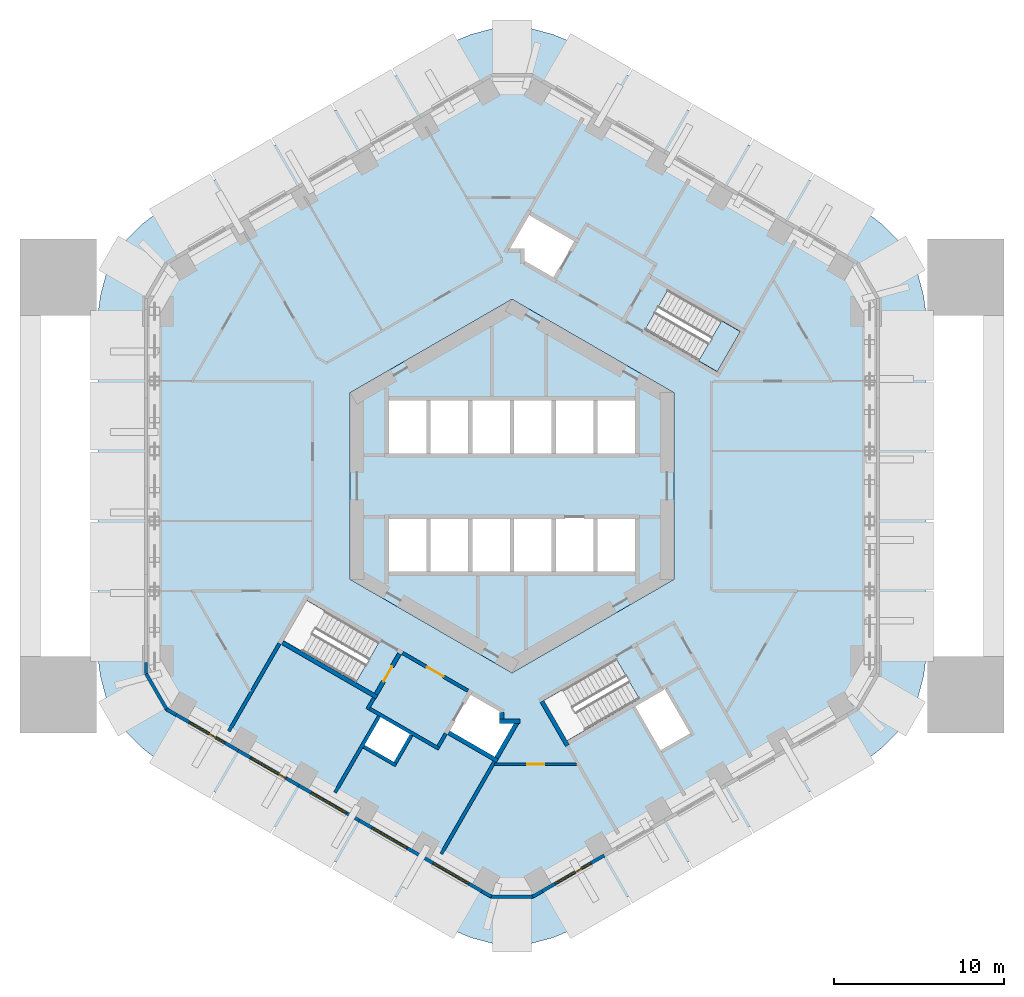
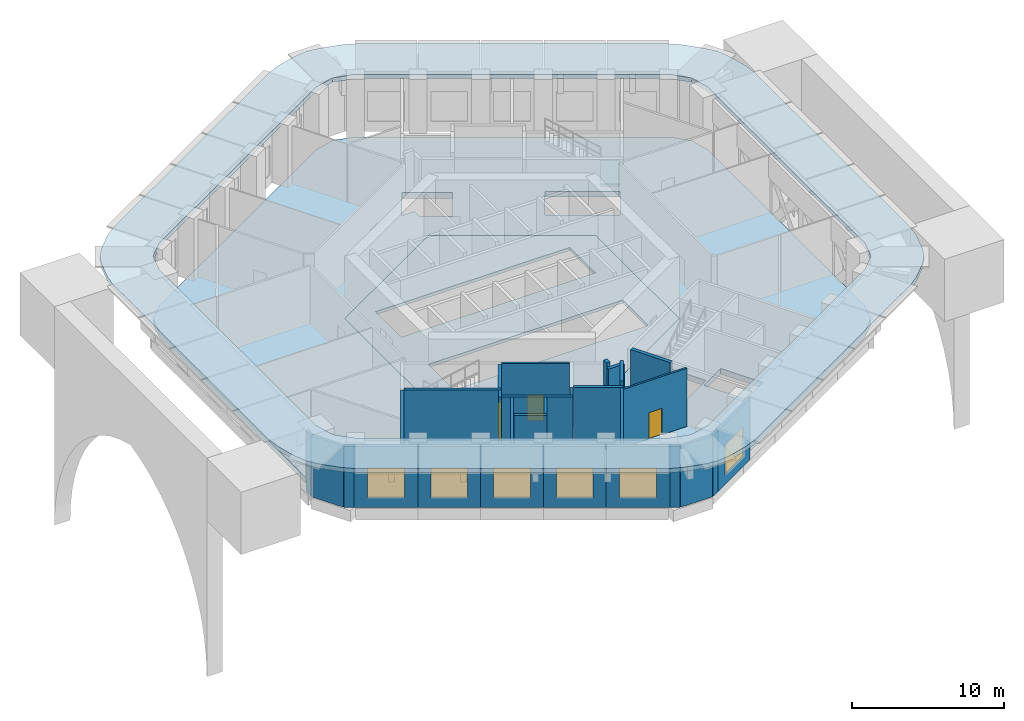
# One storey, part 2 of 10: 29 walls, 6 windows, 4 slabs, 3 doors, 9 openings, 1 element without a shape of its own.
"""IFC4 building model written with IfcOpenShell, lengths in metres."""

import ifcopenshell
import ifcopenshell.guid

model = None  # the IFC model being written
_history = None  # IfcOwnerHistory: only IFC2X3 demands one
_inside = {}  # id of a spatial element -> (the spatial element, [elements in it])
_under = {}  # id of a project, library or spatial element -> (it, [spatial elements below it])
_declared = {}  # id of a project -> (the project, [libraries it declares])
_typed = {}  # id of a type object -> (the type object, [elements of that type])
_made_of = {}  # id of a material, layer set ... -> (it, [elements and type objects made of it])


def new_model(schema):
    """Start an empty IFC model of exactly this schema.

    Asked for "IFC4X3", IfcOpenShell would pick the latest addendum, in which some entities
    have other attributes; the version numbers below select the first issue.
    IFC2X3 requires an IfcOwnerHistory on every rooted entity: one is made here for all.
    """
    global model, _history
    if schema == "IFC4X3":
        model = ifcopenshell.file(schema_version=(4, 3, 0, 0))
    else:
        model = ifcopenshell.file(schema=schema)
    _inside.clear()
    _under.clear()
    _declared.clear()
    _typed.clear()
    _made_of.clear()
    _history = None
    if model.schema == "IFC2X3":
        org = make("IfcOrganization", Name="unknown")
        user = make(
            "IfcPersonAndOrganization",
            ThePerson=make("IfcPerson", FamilyName="unknown"),
            TheOrganization=org,
        )
        app = make(
            "IfcApplication",
            ApplicationDeveloper=org,
            Version="unknown",
            ApplicationFullName="unknown",
            ApplicationIdentifier="unknown",
        )
        _history = make(
            "IfcOwnerHistory",
            OwningUser=user,
            OwningApplication=app,
            ChangeAction="ADDED",
            CreationDate=0,
        )
    return model


def make(cls, **values):
    """One entity of the class cls with the attributes given. An attribute that is None is left unset."""
    return model.create_entity(
        cls, **{name: value for name, value in values.items() if value is not None}
    )


def rooted(cls, **values):
    """An entity with a GlobalId (a new one), such as an element, a storey or a relation."""
    return make(cls, GlobalId=ifcopenshell.guid.new(), OwnerHistory=_history, **values)


def si_unit(unit_type, name, prefix=None):
    """IfcSIUnit, for example si_unit("LENGTHUNIT", "METRE", prefix="MILLI")."""
    return make("IfcSIUnit", UnitType=unit_type, Prefix=prefix, Name=name)


def assignment(units):
    """IfcUnitAssignment: the units of a project."""
    return None if units is None else make("IfcUnitAssignment", Units=units)


def point(xyz):
    """IfcCartesianPoint."""
    return None if xyz is None else make("IfcCartesianPoint", Coordinates=xyz)


def direction(xyz):
    """IfcDirection."""
    return None if xyz is None else make("IfcDirection", DirectionRatios=xyz)


def frame(location, z_axis=None, x_axis=None):
    """IfcAxis2Placement3D, a coordinate frame: its origin and axes. An axis left out is left unset."""
    return make(
        "IfcAxis2Placement3D",
        Location=point(location),
        Axis=direction(z_axis),
        RefDirection=direction(x_axis),
    )


def frame_2d(location, x_axis=None):
    """IfcAxis2Placement2D, a coordinate frame in the plane: its origin and x axis."""
    return make(
        "IfcAxis2Placement2D", Location=point(location), RefDirection=direction(x_axis)
    )


def origin():
    """The frame at (0, 0, 0) with its axes left unset."""
    return frame((0.0, 0.0, 0.0))


def place(relative_to, where):
    """IfcLocalPlacement: puts the frame where relative to a parent placement (None: the world)."""
    return make(
        "IfcLocalPlacement", PlacementRelTo=relative_to, RelativePlacement=where
    )


def context(
    kind, dimensions, precision=None, world=None, true_north=None, identifier=None
):
    """IfcGeometricRepresentationContext, for example the 3D "Model" context."""
    return make(
        "IfcGeometricRepresentationContext",
        ContextIdentifier=identifier,
        ContextType=kind,
        CoordinateSpaceDimension=dimensions,
        Precision=precision,
        WorldCoordinateSystem=world,
        TrueNorth=true_north,
    )


def subcontext(parent, identifier, kind, view, scale=None):
    """IfcGeometricRepresentationSubContext, for example "Body" below "Model"."""
    return make(
        "IfcGeometricRepresentationSubContext",
        ContextIdentifier=identifier,
        ContextType=kind,
        ParentContext=parent,
        TargetScale=scale,
        TargetView=view,
    )


def project(units=None, contexts=None):
    """IfcProject with its units and contexts."""
    return rooted(
        "IfcProject",
        Name="project",
        RepresentationContexts=contexts,
        UnitsInContext=assignment(units),
    )


def spatial(cls, under=None, at=None, **own):
    """A site, building, storey or space (cls), placed at a placement, below another one or the project."""
    s = rooted(cls, ObjectPlacement=at, **own)
    if under is not None:
        _under.setdefault(under.id(), (under, []))[1].append(s)
    return s


def polyline(points):
    """IfcPolyline through the points."""
    return make("IfcPolyline", Points=[point(p) for p in points])


def profile(cls, at=None, kind="AREA", **sizes):
    """A parametric profile (cls). Its sizes go by their IFC names, for example OverallWidth=200.0."""
    return make(cls, ProfileType=kind, Position=at, **sizes)


def rectangle(**sizes):
    """IfcRectangleProfileDef."""
    return profile("IfcRectangleProfileDef", **sizes)


def outline(outer, holes=None, kind="AREA"):
    """IfcArbitraryClosedProfileDef: a profile drawn as a closed curve; with holes, ...WithVoids."""
    if holes is None:
        return make("IfcArbitraryClosedProfileDef", ProfileType=kind, OuterCurve=outer)
    return make(
        "IfcArbitraryProfileDefWithVoids",
        ProfileType=kind,
        OuterCurve=outer,
        InnerCurves=holes,
    )


def extrude(swept, where, along, depth):
    """IfcExtrudedAreaSolid: the profile swept, set in the frame where, extruded along a direction by depth."""
    return make(
        "IfcExtrudedAreaSolid",
        SweptArea=swept,
        Position=where,
        ExtrudedDirection=direction(along),
        Depth=depth,
    )


def shape(context_of_items, identifier, shape_type, items):
    """IfcShapeRepresentation: the items that make up one representation, for example the "Body"."""
    return make(
        "IfcShapeRepresentation",
        ContextOfItems=context_of_items,
        RepresentationIdentifier=identifier,
        RepresentationType=shape_type,
        Items=items,
    )


def material(Name=None, Category=None):
    """IfcMaterial."""
    return make("IfcMaterial", Name=Name, Category=Category)


def layer(
    of_material, thickness, ventilated=None, Name=None, Category=None, Priority=None
):
    """IfcMaterialLayer: one layer of a wall or slab, of a material (None: an air gap)."""
    return make(
        "IfcMaterialLayer",
        Material=of_material,
        LayerThickness=thickness,
        IsVentilated=ventilated,
        Name=Name,
        Category=Category,
        Priority=Priority,
    )


def layer_set(layers, Name=None):
    """IfcMaterialLayerSet."""
    return make("IfcMaterialLayerSet", MaterialLayers=layers, LayerSetName=Name)


def made_of(thing, what):
    """Note that an element or type object is made of a material, layer set ...; save() writes the relation."""
    if what is not None:
        _made_of.setdefault(what.id(), (what, []))[1].append(thing)
    return thing


def type_object(cls, material=None, **own):
    """A type object (cls), such as IfcWallType, which elements share."""
    return made_of(rooted(cls, **own), material)


def element(
    cls,
    number,
    at=None,
    inside=None,
    cuts=None,
    type_object=None,
    material=None,
    context=None,
    identifier="Body",
    shape_type=None,
    held_by="IfcProductDefinitionShape",
    body=None,
    shapes=None,
    **own,
):
    """One element of the class cls, such as IfcWall. Its Tag is "e" and its number.

    at: its placement. inside: the storey or other place that contains it. cuts: it is an
    opening in that element (IfcRelVoidsElement). A single representation is given by context,
    identifier, shape_type and body (its items); several are given by shapes. held_by: the class
    of the entity that holds the representations. save() writes the other relations.
    """
    e = rooted(cls, Tag="e%d" % number, ObjectPlacement=at, **own)
    if body is not None:
        shapes = [shape(context, identifier, shape_type, body)]
    if shapes is not None:
        e.Representation = make(held_by, Representations=shapes)
    if inside is not None:
        _inside.setdefault(inside.id(), (inside, []))[1].append(e)
    if cuts is not None:
        rooted(
            "IfcRelVoidsElement", RelatingBuildingElement=cuts, RelatedOpeningElement=e
        )
    if type_object is not None:
        _typed.setdefault(type_object.id(), (type_object, []))[1].append(e)
    return made_of(e, material)


def fill(opening, filler):
    """IfcRelFillsElement: the door or window that sits in an opening."""
    return rooted(
        "IfcRelFillsElement",
        RelatingOpeningElement=opening,
        RelatedBuildingElement=filler,
    )


def aggregate(whole, parts):
    """IfcRelAggregates: a whole, such as a stair, and the parts it consists of."""
    return rooted("IfcRelAggregates", RelatingObject=whole, RelatedObjects=parts)


def save(model, path):
    """Write the relations noted so far, then the file.

    IfcRelAggregates (storeys below a building ...), IfcRelContainedInSpatialStructure (elements
    in a storey), IfcRelDefinesByType, IfcRelAssociatesMaterial and IfcRelDeclares: one each for
    every whole, place, type object, material and project.
    """
    for whole, parts in _under.values():
        aggregate(whole, parts)
    for where, things in _inside.values():
        rooted(
            "IfcRelContainedInSpatialStructure",
            RelatedElements=things,
            RelatingStructure=where,
        )
    for kind, things in _typed.values():
        rooted("IfcRelDefinesByType", RelatedObjects=things, RelatingType=kind)
    for what, things in _made_of.values():
        rooted("IfcRelAssociatesMaterial", RelatedObjects=things, RelatingMaterial=what)
    for by, libraries in _declared.values():
        rooted("IfcRelDeclares", RelatingContext=by, RelatedDefinitions=libraries)
    model.write(path)


model = new_model("IFC4")

# Units and contexts
model_context = context("Model", 3, precision=1e-05, world=origin(), true_north=direction((0.0, 1.0)))
body_context = subcontext(model_context, "Body", "Model", "MODEL_VIEW")
ifc_project = project(units=[si_unit("LENGTHUNIT", "METRE"), si_unit("AREAUNIT", "SQUARE_METRE"), si_unit("VOLUMEUNIT", "CUBIC_METRE"), si_unit("PLANEANGLEUNIT", "RADIAN"), si_unit("MASSUNIT", "GRAM", prefix="KILO")], contexts=[model_context])

# Site, building, storey
site_placement = place(None, origin())
site = spatial("IfcSite", under=ifc_project, at=site_placement, CompositionType="ELEMENT")
building_placement = place(site_placement, origin())
building = spatial("IfcBuilding", under=site, at=building_placement, Name="Ayvan Gate Tower", CompositionType="ELEMENT")
storey_placement = place(building_placement, frame((0.0, 0.0, 20.5)))
storey = spatial("IfcBuildingStorey", under=building, at=storey_placement, Name="L04", CompositionType="ELEMENT", Elevation=20.5)

# Slabs
ifc_material_1 = material(Name="Concrete C40/50", Category="concrete")
ifc_layer_1 = layer(ifc_material_1, 0.35009765625)
ifc_layer_set_1 = layer_set([ifc_layer_1], Name="Concrete C40/50")
slab_type_1 = type_object("IfcSlabType", Name="Cornice slab 350", PredefinedType="ROOF", material=ifc_layer_set_1)
slab_1_placement = place(storey_placement, frame((0.0, 0.0, 4.64990234375)))
element("IfcSlab", 1, at=slab_1_placement, inside=storey, type_object=slab_type_1, Name="Cornice slab ring", PredefinedType="ROOF", context=body_context, shape_type="SweptSolid", body=[
    extrude(outline(polyline([(21.03466796875, 15.897216796875), (3.25, 26.1650390625), (2.40576171875, 26.5146484375), (0.90576171875, 26.916748046875), (0.0, 27.035888671875), (-0.90576171875, 26.916748046875), (-2.40576171875, 26.5146484375), (-3.25, 26.1650390625), (-21.03466796875, 15.897216796875), (-21.759521484375, 15.3408203125), (-22.857666015625, 14.242919921875), (-23.413818359375, 13.51806640625), (-23.763427734375, 12.673828125), (-24.165283203125, 11.173828125), (-24.28466796875, 10.26806640625), (-24.28466796875, -10.26806640625), (-24.165283203125, -11.173828125), (-23.763427734375, -12.673828125), (-23.413818359375, -13.51806640625), (-22.857666015625, -14.242919921875), (-21.759521484375, -15.3408203125), (-21.03466796875, -15.897216796875), (-3.25, -26.1650390625), (-2.40576171875, -26.5146484375), (-0.90576171875, -26.916748046875), (0.0, -27.035888671875), (0.90576171875, -26.916748046875), (2.40576171875, -26.5146484375), (3.25, -26.1650390625), (21.03466796875, -15.897216796875), (21.759521484375, -15.3408203125), (22.857666015625, -14.242919921875), (23.413818359375, -13.51806640625), (23.763427734375, -12.673828125), (24.165283203125, -11.173828125), (24.28466796875, -10.26806640625), (24.28466796875, 10.26806640625), (24.165283203125, 11.173828125), (23.763427734375, 12.673828125), (23.413818359375, 13.51806640625), (22.857666015625, 14.242919921875), (21.759521484375, 15.3408203125), (21.03466796875, 15.897216796875)]), holes=[polyline([(1.5, 23.134033203125), (0.0, 23.535888671875), (-1.5, 23.134033203125), (-19.28466796875, 12.865966796875), (-20.382568359375, 11.76806640625), (-20.78466796875, 10.26806640625), (-20.78466796875, -10.26806640625), (-20.382568359375, -11.76806640625), (-19.28466796875, -12.865966796875), (-1.5, -23.134033203125), (0.0, -23.535888671875), (1.5, -23.134033203125), (19.28466796875, -12.865966796875), (20.382568359375, -11.76806640625), (20.78466796875, -10.26806640625), (20.78466796875, 10.26806640625), (20.382568359375, 11.76806640625), (19.28466796875, 12.865966796875), (1.5, 23.134033203125)])]), origin(), (0.0, 0.0, 1.0), 0.35009765625),
])
ifc_layer_2 = layer(ifc_material_1, 0.449951171875)
ifc_layer_set_2 = layer_set([ifc_layer_2], Name="Concrete C40/50")
slab_type_2 = type_object("IfcSlabType", Name="Post-tensioned flat slab 450", PredefinedType="FLOOR", material=ifc_layer_set_2)
slab_2_placement = place(storey_placement, frame((0.0, 0.0, -0.449951171875)))
element("IfcSlab", 2, at=slab_2_placement, inside=storey, type_object=slab_type_2, Name="SL-L04", PredefinedType="FLOOR", context=body_context, shape_type="SweptSolid", body=[
    extrude(outline(polyline([(-1.5, -23.134033203125), (-19.28466796875, -12.865966796875), (-20.382568359375, -11.76806640625), (-20.78466796875, -10.26806640625), (-20.78466796875, 10.26806640625), (-20.382568359375, 11.76806640625), (-19.28466796875, 12.865966796875), (-1.5, 23.134033203125), (0.0, 23.535888671875), (1.5, 23.134033203125), (19.28466796875, 12.865966796875), (20.382568359375, 11.76806640625), (20.78466796875, 10.26806640625), (20.78466796875, -10.26806640625), (20.382568359375, -11.76806640625), (19.28466796875, -12.865966796875), (1.5, -23.134033203125), (0.0, -23.535888671875), (-1.5, -23.134033203125)]), holes=[polyline([(9.1611328125, 11.517578125), (7.80615234375, 9.170654296875), (12.049560546875, 6.720458984375), (13.404541015625, 9.0673828125), (9.1611328125, 11.517578125)]), polyline([(8.995361328125, -11.780517578125), (8.735595703125, -11.9306640625), (7.090087890625, -12.880615234375), (8.690185546875, -15.65185546875), (10.595458984375, -14.5517578125), (8.995361328125, -11.780517578125)]), polyline([(-9.5, 5.48486328125), (-9.5, -5.48486328125), (0.0, -10.9697265625), (9.5, -5.48486328125), (9.5, 5.48486328125), (0.0, 10.9697265625), (-9.5, 5.48486328125)]), polyline([(7.472412109375, -12.492431640625), (6.117431640625, -10.1455078125), (1.873779296875, -12.595458984375), (3.228759765625, -14.9423828125), (7.472412109375, -12.492431640625)]), polyline([(3.822509765625, 14.420654296875), (0.964599609375, 16.07080078125), (-0.340576171875, 13.81005859375), (0.60009765625, 13.81005859375), (0.60009765625, 13.16357421875), (2.472412109375, 12.08251953125), (3.822509765625, 14.420654296875)]), polyline([(-0.60009765625, -13.81005859375), (-0.60009765625, -13.16357421875), (-2.472412109375, -12.08251953125), (-3.822509765625, -14.420654296875), (-0.964599609375, -16.07080078125), (0.340576171875, -13.81005859375), (-0.60009765625, -13.81005859375)]), polyline([(-8.800048828125, -15.241943359375), (-6.894775390625, -16.342041015625), (-5.8447265625, -14.5234375), (-7.75, -13.42333984375), (-8.800048828125, -15.241943359375)]), polyline([(-12.049560546875, -6.720458984375), (-13.404541015625, -9.0673828125), (-9.1611328125, -11.517578125), (-7.80615234375, -9.170654296875), (-12.049560546875, -6.720458984375)])]), origin(), (0.0, 0.0, 1.0), 0.449951171875),
])
ifc_layer_3 = layer(ifc_material_1, 0.25)
ifc_layer_set_3 = layer_set([ifc_layer_3], Name="Concrete C40/50")
slab_type_3 = type_object("IfcSlabType", Name="SL-CORE-250", PredefinedType="FLOOR", material=ifc_layer_set_3)
slab_3_placement = place(storey_placement, frame((0.0, 0.0, -0.25)))
element("IfcSlab", 3, at=slab_3_placement, inside=storey, type_object=slab_type_3, Name="CS-L04", PredefinedType="FLOOR", context=body_context, shape_type="SweptSolid", body=[
    extrude(outline(polyline([(9.5, -5.48486328125), (0.0, -10.9697265625), (-9.5, -5.48486328125), (-9.5, 5.48486328125), (0.0, 10.9697265625), (9.5, 5.48486328125), (9.5, -5.48486328125)]), holes=[polyline([(-7.35009765625, -1.800048828125), (-7.35009765625, -5.14990234375), (7.35009765625, -5.14990234375), (7.35009765625, -1.800048828125), (-7.35009765625, -1.800048828125)]), polyline([(-7.35009765625, 5.14990234375), (-7.35009765625, 1.800048828125), (7.35009765625, 1.800048828125), (7.35009765625, 5.14990234375), (-7.35009765625, 5.14990234375)])]), origin(), (0.0, 0.0, 1.0), 0.25),
])

# Stair, slab
stair_type = type_object("IfcStairType", Name="ST-EXIT", PredefinedType="HALF_TURN_STAIR", material=ifc_material_1)
stair_placement = place(storey_placement, origin())
stair = element("IfcStair", 4, at=stair_placement, inside=storey, type_object=stair_type, Name="L04 Exit Stair S1", PredefinedType="HALF_TURN_STAIR")
ifc_layer_4 = layer(ifc_material_1, 0.199951171875)
ifc_layer_set_4 = layer_set([ifc_layer_4], Name="Concrete C40/50")
slab_type_4 = type_object("IfcSlabType", Name="SL-LANDING-200", PredefinedType="LANDING", material=ifc_layer_set_4)
slab_4_placement = place(storey_placement, frame((0.0, 0.0, 2.300048828125)))
slab_4 = element("IfcSlab", 5, at=slab_4_placement, type_object=slab_type_4, Name="STS1 landing 1", PredefinedType="LANDING", context=body_context, shape_type="SweptSolid", body=[
    extrude(outline(polyline([(10.95849609375, 7.3505859375), (12.049560546875, 6.720458984375), (13.404541015625, 9.0673828125), (12.3134765625, 9.697509765625), (10.95849609375, 7.3505859375)])), origin(), (0.0, 0.0, 1.0), 0.199951171875),
])
aggregate(stair, [slab_4])

# Walls
ifc_material_2 = material(Name="Pale metal cladding on insulated wall")
ifc_layer_5 = layer(ifc_material_2, 0.199951171875)
ifc_layer_set_5 = layer_set([ifc_layer_5], Name="Pale metal cladding on insulated wall")
wall_type_1 = type_object("IfcWallType", Name="Louvred plant wall 200", PredefinedType="SOLIDWALL", material=ifc_layer_set_5)
wall_1_placement = place(storey_placement, frame((-21.484619140625, -10.360107421875, 0.0), z_axis=(0.0, 0.0, 1.0), x_axis=(0.0, -1.0, 0.0)))
element("IfcWall", 6, at=wall_1_placement, inside=storey, type_object=wall_type_1, Name="EW:L04:C03:0", PredefinedType="SOLIDWALL", context=body_context, shape_type="SweptSolid", body=[
    extrude(rectangle(XDim=0.64990234375, YDim=0.199951171875, at=frame_2d((0.324951171875, 0.0))), origin(), (0.0, 0.0, 1.0), 4.8798828125),
])
wall_2_placement = place(storey_placement, frame((-21.484619140625, -11.010009765625, 0.0), z_axis=(0.0, 0.0, 1.0), x_axis=(0.499999616612, -0.866025625133, 0.0)))
element("IfcWall", 7, at=wall_2_placement, inside=storey, type_object=wall_type_1, Name="EW:L04:C03:1", PredefinedType="SOLIDWALL", context=body_context, shape_type="SweptSolid", body=[
    extrude(rectangle(XDim=2.41455078125, YDim=0.199951171875, at=frame_2d((1.207275390625, 0.0))), origin(), (0.0, 0.0, 1.0), 4.8798828125),
])
wall_3_placement = place(storey_placement, frame((-20.27734375, -13.10107421875, 0.0), z_axis=(0.0, 0.0, 1.0), x_axis=(0.865922902183, -0.50017749597, 0.0)))
element("IfcWall", 8, at=wall_3_placement, inside=storey, type_object=wall_type_1, Name="EW:L04:C03:2", PredefinedType="SOLIDWALL", context=body_context, shape_type="SweptSolid", body=[
    extrude(rectangle(XDim=0.650146484375, YDim=0.199951171875, at=frame_2d((0.3251953125, 0.0))), origin(), (0.0, 0.0, 1.0), 4.8798828125),
])

# Wall, opening, window
wall_4_placement = place(storey_placement, frame((-19.71435546875, -13.42626953125, 0.0), z_axis=(0.0, 0.0, 1.0), x_axis=(0.866041321553, -0.499972428603, 0.0)))
wall_4 = element("IfcWall", 9, at=wall_4_placement, inside=storey, type_object=wall_type_1, Name="EW:L04:F04:0", PredefinedType="SOLIDWALL", context=body_context, shape_type="SweptSolid", body=[
    extrude(rectangle(XDim=4.198974609375, YDim=0.199951171875, at=frame_2d((2.099609375, 0.0))), origin(), (0.0, 0.0, 1.0), 4.8798828125),
])
opening_1_placement = place(wall_4_placement, frame((0.8994140625, 0.0, 0.800048828125)))
opening_1 = element("IfcOpeningElement", 10, at=opening_1_placement, cuts=wall_4, Name="Opening W-L", PredefinedType="OPENING", context=body_context, shape_type="SweptSolid", body=[
    extrude(rectangle(XDim=2.39990234375, YDim=2.39990234375, at=frame_2d((1.199951171875, 1.199951171875))), frame((0.0, 0.10986328125, 0.0), z_axis=(0.0, -1.0, 0.0), x_axis=(1.0, 0.0, 0.0)), (0.0, 0.0, 1.0), 0.219970703125),
])
ifc_material_3 = material(Name="Anodised aluminium louvre", Category="aluminium")
window_type = type_object("IfcWindowType", Name="Louvre intake W-L", PartitioningType="DOUBLE_PANEL_VERTICAL", PredefinedType="WINDOW", material=ifc_material_3)
window_1_placement = place(opening_1_placement, origin())
window_1 = element("IfcWindow", 11, at=window_1_placement, inside=storey, type_object=window_type, Name="Louvre intake L04.4.0", OverallHeight=2.39990234375, OverallWidth=2.39990234375, PartitioningType="SINGLE_PANEL", PredefinedType="WINDOW", context=body_context, shape_type="SweptSolid", body=[
    extrude(rectangle(XDim=2.39990234375, YDim=2.39990234375, at=frame_2d((1.199951171875, 1.199951171875))), frame((0.0, 0.030029296875, 0.0), z_axis=(0.0, -1.0, 0.0), x_axis=(1.0, 0.0, 0.0)), (0.0, 0.0, 1.0), 0.06005859375),
])
fill(opening_1, window_1)

wall_5_placement = place(storey_placement, frame((-16.077880859375, -15.525634765625, 0.0), z_axis=(0.0, 0.0, 1.0), x_axis=(0.866029215606, -0.499993397673, 0.0)))
wall_5 = element("IfcWall", 12, at=wall_5_placement, inside=storey, type_object=wall_type_1, Name="EW:L04:F04:1", PredefinedType="SOLIDWALL", context=body_context, shape_type="SweptSolid", body=[
    extrude(rectangle(XDim=4.10791015625, YDim=0.199951171875, at=frame_2d((2.053955078125, 0.0))), origin(), (0.0, 0.0, 1.0), 4.8798828125),
])
opening_2_placement = place(wall_5_placement, frame((0.85400390625, 0.0, 0.800048828125)))
opening_2 = element("IfcOpeningElement", 13, at=opening_2_placement, cuts=wall_5, Name="Opening W-L", PredefinedType="OPENING", context=body_context, shape_type="SweptSolid", body=[
    extrude(rectangle(XDim=2.39990234375, YDim=2.39990234375, at=frame_2d((1.199951171875, 1.199951171875))), frame((0.0, 0.10986328125, 0.0), z_axis=(0.0, -1.0, 0.0), x_axis=(1.0, 0.0, 0.0)), (0.0, 0.0, 1.0), 0.219970703125),
])
window_2_placement = place(opening_2_placement, origin())
window_2 = element("IfcWindow", 14, at=window_2_placement, inside=storey, type_object=window_type, Name="Louvre intake L04.4.1", OverallHeight=2.39990234375, OverallWidth=2.39990234375, PartitioningType="SINGLE_PANEL", PredefinedType="WINDOW", context=body_context, shape_type="SweptSolid", body=[
    extrude(rectangle(XDim=2.39990234375, YDim=2.39990234375, at=frame_2d((1.199951171875, 1.199951171875))), frame((0.0, 0.030029296875, 0.0), z_axis=(0.0, -1.0, 0.0), x_axis=(1.0, 0.0, 0.0)), (0.0, 0.0, 1.0), 0.06005859375),
])
fill(opening_2, window_2)

wall_6_placement = place(storey_placement, frame((-12.520263671875, -17.57958984375, 0.0), z_axis=(0.0, 0.0, 1.0), x_axis=(0.866021252249, -0.500007190601, 0.0)))
wall_6 = element("IfcWall", 15, at=wall_6_placement, inside=storey, type_object=wall_type_1, Name="EW:L04:F04:2", PredefinedType="SOLIDWALL", context=body_context, shape_type="SweptSolid", body=[
    extrude(rectangle(XDim=4.10693359375, YDim=0.199951171875, at=frame_2d((2.053466796875, 0.0))), origin(), (0.0, 0.0, 1.0), 4.8798828125),
])
opening_3_placement = place(wall_6_placement, frame((0.853515625, 0.0, 0.800048828125)))
opening_3 = element("IfcOpeningElement", 16, at=opening_3_placement, cuts=wall_6, Name="Opening W-L", PredefinedType="OPENING", context=body_context, shape_type="SweptSolid", body=[
    extrude(rectangle(XDim=2.39990234375, YDim=2.39990234375, at=frame_2d((1.199951171875, 1.199951171875))), frame((0.0, 0.10986328125, 0.0), z_axis=(0.0, -1.0, 0.0), x_axis=(1.0, 0.0, 0.0)), (0.0, 0.0, 1.0), 0.219970703125),
])
window_3_placement = place(opening_3_placement, origin())
window_3 = element("IfcWindow", 17, at=window_3_placement, inside=storey, type_object=window_type, Name="Louvre intake L04.4.2", OverallHeight=2.39990234375, OverallWidth=2.39990234375, PartitioningType="SINGLE_PANEL", PredefinedType="WINDOW", context=body_context, shape_type="SweptSolid", body=[
    extrude(rectangle(XDim=2.39990234375, YDim=2.39990234375, at=frame_2d((1.199951171875, 1.199951171875))), frame((0.0, 0.030029296875, 0.0), z_axis=(0.0, -1.0, 0.0), x_axis=(1.0, 0.0, 0.0)), (0.0, 0.0, 1.0), 0.06005859375),
])
fill(opening_3, window_3)

wall_7_placement = place(storey_placement, frame((-8.963623046875, -19.633056640625, 0.0), z_axis=(0.0, 0.0, 1.0), x_axis=(0.866010373586, -0.500026032164, 0.0)))
wall_7 = element("IfcWall", 18, at=wall_7_placement, inside=storey, type_object=wall_type_1, Name="EW:L04:F04:3", PredefinedType="SOLIDWALL", context=body_context, shape_type="SweptSolid", body=[
    extrude(rectangle(XDim=4.107177734375, YDim=0.199951171875, at=frame_2d((2.0537109375, 0.0))), origin(), (0.0, 0.0, 1.0), 4.8798828125),
])
opening_4_placement = place(wall_7_placement, frame((0.853515625, 0.0, 0.800048828125)))
opening_4 = element("IfcOpeningElement", 19, at=opening_4_placement, cuts=wall_7, Name="Opening W-L", PredefinedType="OPENING", context=body_context, shape_type="SweptSolid", body=[
    extrude(rectangle(XDim=2.39990234375, YDim=2.39990234375, at=frame_2d((1.199951171875, 1.199951171875))), frame((0.0, 0.10986328125, 0.0), z_axis=(0.0, -1.0, 0.0), x_axis=(1.0, 0.0, 0.0)), (0.0, 0.0, 1.0), 0.219970703125),
])
window_4_placement = place(opening_4_placement, origin())
window_4 = element("IfcWindow", 20, at=window_4_placement, inside=storey, type_object=window_type, Name="Louvre intake L04.4.3", OverallHeight=2.39990234375, OverallWidth=2.39990234375, PartitioningType="SINGLE_PANEL", PredefinedType="WINDOW", context=body_context, shape_type="SweptSolid", body=[
    extrude(rectangle(XDim=2.39990234375, YDim=2.39990234375, at=frame_2d((1.199951171875, 1.199951171875))), frame((0.0, 0.030029296875, 0.0), z_axis=(0.0, -1.0, 0.0), x_axis=(1.0, 0.0, 0.0)), (0.0, 0.0, 1.0), 0.06005859375),
])
fill(opening_4, window_4)

wall_8_placement = place(storey_placement, frame((-5.40673828125, -21.686767578125, 0.0), z_axis=(0.0, 0.0, 1.0), x_axis=(0.866016145416, -0.500016035621, 0.0)))
wall_8 = element("IfcWall", 21, at=wall_8_placement, inside=storey, type_object=wall_type_1, Name="EW:L04:F04:4", PredefinedType="SOLIDWALL", context=body_context, shape_type="SweptSolid", body=[
    extrude(rectangle(XDim=4.198974609375, YDim=0.199951171875, at=frame_2d((2.099609375, 0.0))), origin(), (0.0, 0.0, 1.0), 4.8798828125),
])
opening_5_placement = place(wall_8_placement, frame((0.899658203125, 0.0, 0.800048828125)))
opening_5 = element("IfcOpeningElement", 22, at=opening_5_placement, cuts=wall_8, Name="Opening W-L", PredefinedType="OPENING", context=body_context, shape_type="SweptSolid", body=[
    extrude(rectangle(XDim=2.39990234375, YDim=2.39990234375, at=frame_2d((1.199951171875, 1.199951171875))), frame((0.0, 0.10986328125, 0.0), z_axis=(0.0, -1.0, 0.0), x_axis=(1.0, 0.0, 0.0)), (0.0, 0.0, 1.0), 0.219970703125),
])
window_5_placement = place(opening_5_placement, origin())
window_5 = element("IfcWindow", 23, at=window_5_placement, inside=storey, type_object=window_type, Name="Louvre intake L04.4.4", OverallHeight=2.39990234375, OverallWidth=2.39990234375, PartitioningType="SINGLE_PANEL", PredefinedType="WINDOW", context=body_context, shape_type="SweptSolid", body=[
    extrude(rectangle(XDim=2.39990234375, YDim=2.39990234375, at=frame_2d((1.199951171875, 1.199951171875))), frame((0.0, 0.030029296875, 0.0), z_axis=(0.0, -1.0, 0.0), x_axis=(1.0, 0.0, 0.0)), (0.0, 0.0, 1.0), 0.06005859375),
])
fill(opening_5, window_5)

# Walls
wall_9_placement = place(storey_placement, frame((-1.770263671875, -23.786376953125, 0.0), z_axis=(0.0, 0.0, 1.0), x_axis=(0.866085525409, -0.49989585183, 0.0)))
element("IfcWall", 24, at=wall_9_placement, inside=storey, type_object=wall_type_1, Name="EW:L04:C05:0", PredefinedType="SOLIDWALL", context=body_context, shape_type="SweptSolid", body=[
    extrude(rectangle(XDim=0.650146484375, YDim=0.199951171875, at=frame_2d((0.3251953125, 0.0))), origin(), (0.0, 0.0, 1.0), 4.8798828125),
])
wall_10_placement = place(storey_placement, frame((-1.207275390625, -24.111328125, 0.0), z_axis=(0.0, 0.0, 1.0), x_axis=(1.0, 0.0, 0.0)))
element("IfcWall", 25, at=wall_10_placement, inside=storey, type_object=wall_type_1, Name="EW:L04:C05:1", PredefinedType="SOLIDWALL", context=body_context, shape_type="SweptSolid", body=[
    extrude(rectangle(XDim=2.41455078125, YDim=0.199951171875, at=frame_2d((1.207275390625, 0.0))), origin(), (0.0, 0.0, 1.0), 4.8798828125),
])
wall_11_placement = place(storey_placement, frame((1.207275390625, -24.111328125, 0.0), z_axis=(0.0, 0.0, 1.0), x_axis=(0.866085525409, 0.49989585183, 0.0)))
element("IfcWall", 26, at=wall_11_placement, inside=storey, type_object=wall_type_1, Name="EW:L04:C05:2", PredefinedType="SOLIDWALL", context=body_context, shape_type="SweptSolid", body=[
    extrude(rectangle(XDim=0.650146484375, YDim=0.199951171875, at=frame_2d((0.3251953125, 0.0))), origin(), (0.0, 0.0, 1.0), 4.8798828125),
])

# Wall, opening, window
wall_12_placement = place(storey_placement, frame((1.770263671875, -23.786376953125, 0.0), z_axis=(0.0, 0.0, 1.0), x_axis=(0.866016145416, 0.500016035621, 0.0)))
wall_12 = element("IfcWall", 27, at=wall_12_placement, inside=storey, type_object=wall_type_1, Name="EW:L04:F06:0", PredefinedType="SOLIDWALL", context=body_context, shape_type="SweptSolid", body=[
    extrude(rectangle(XDim=4.198974609375, YDim=0.199951171875, at=frame_2d((2.099609375, 0.0))), origin(), (0.0, 0.0, 1.0), 4.8798828125),
])
opening_6_placement = place(wall_12_placement, frame((0.8994140625, 0.0, 0.800048828125)))
opening_6 = element("IfcOpeningElement", 28, at=opening_6_placement, cuts=wall_12, Name="Opening W-L", PredefinedType="OPENING", context=body_context, shape_type="SweptSolid", body=[
    extrude(rectangle(XDim=2.39990234375, YDim=2.39990234375, at=frame_2d((1.199951171875, 1.199951171875))), frame((0.0, 0.10986328125, 0.0), z_axis=(0.0, -1.0, 0.0), x_axis=(1.0, 0.0, 0.0)), (0.0, 0.0, 1.0), 0.219970703125),
])
window_6_placement = place(opening_6_placement, origin())
window_6 = element("IfcWindow", 29, at=window_6_placement, inside=storey, type_object=window_type, Name="Louvre intake L04.6.0", OverallHeight=2.39990234375, OverallWidth=2.39990234375, PartitioningType="SINGLE_PANEL", PredefinedType="WINDOW", context=body_context, shape_type="SweptSolid", body=[
    extrude(rectangle(XDim=2.39990234375, YDim=2.39990234375, at=frame_2d((1.199951171875, 1.199951171875))), frame((0.0, 0.030029296875, 0.0), z_axis=(0.0, -1.0, 0.0), x_axis=(1.0, 0.0, 0.0)), (0.0, 0.0, 1.0), 0.06005859375),
])
fill(opening_6, window_6)

# Wall, opening, door
ifc_material_4 = material(Name="Plasterboard on steel stud", Category="steel")
ifc_layer_6 = layer(ifc_material_4, 0.14990234375)
ifc_layer_set_6 = layer_set([ifc_layer_6], Name="Plasterboard on steel stud")
wall_type_2 = type_object("IfcWallType", Name="WT-CORR-150", PredefinedType="PARTITIONING", material=ifc_layer_set_6)
wall_13_placement = place(storey_placement, frame((3.7890625, -16.3359375, 0.0), z_axis=(0.0, 0.0, 1.0), x_axis=(-1.0, 0.0, 0.0)))
wall_13 = element("IfcWall", 30, at=wall_13_placement, inside=storey, type_object=wall_type_2, Name="IW-L04-066", PredefinedType="PARTITIONING", context=body_context, shape_type="SweptSolid", body=[
    extrude(rectangle(XDim=4.806640625, YDim=0.14990234375, at=frame_2d((2.4033203125, 0.0))), origin(), (0.0, 0.0, 1.0), 4.64990234375),
])
opening_7_placement = place(wall_13_placement, frame((1.9033203125, 0.0, 0.0)))
opening_7 = element("IfcOpeningElement", 31, at=opening_7_placement, cuts=wall_13, Name="Opening L04-D24", PredefinedType="OPENING", context=body_context, shape_type="SweptSolid", body=[
    extrude(rectangle(XDim=1.0, YDim=2.10009765625, at=frame_2d((0.5, 1.050048828125))), frame((0.0, 0.0849609375, 0.0), z_axis=(0.0, -1.0, 0.0), x_axis=(1.0, 0.0, 0.0)), (0.0, 0.0, 1.0), 0.169921875),
])
ifc_material_5 = material(Name="Timber door leaf", Category="wood")
door_type_1 = type_object("IfcDoorType", Name="DT-1000", OperationType="NOTDEFINED", PredefinedType="DOOR", material=ifc_material_5)
door_1_placement = place(opening_7_placement, origin())
door_1 = element("IfcDoor", 32, at=door_1_placement, inside=storey, type_object=door_type_1, Name="ID-L04-024", OperationType="SINGLE_SWING_RIGHT", OverallHeight=2.10009765625, OverallWidth=1.0, PredefinedType="DOOR", context=body_context, shape_type="SweptSolid", body=[
    extrude(rectangle(XDim=1.0, YDim=2.10009765625, at=frame_2d((0.5, 1.050048828125))), frame((0.0, 0.02490234375, 0.0), z_axis=(0.0, -1.0, 0.0), x_axis=(1.0, 0.0, 0.0)), (0.0, 0.0, 1.0), 0.050048828125),
])
fill(opening_7, door_1)

# Walls
ifc_layer_7 = layer(ifc_material_4, 0.199951171875)
ifc_layer_set_7 = layer_set([ifc_layer_7], Name="Plasterboard on steel stud")
wall_type_3 = type_object("IfcWallType", Name="WT-PLUMB-200", PredefinedType="PLUMBINGWALL", material=ifc_layer_set_7)
wall_14_placement = place(storey_placement, frame((-16.627685546875, -14.39990234375, 0.0), z_axis=(0.0, 0.0, 1.0), x_axis=(0.499994325412, 0.866028679985, 0.0)))
element("IfcWall", 33, at=wall_14_placement, inside=storey, type_object=wall_type_3, Name="IW-L04-004", PredefinedType="PLUMBINGWALL", context=body_context, shape_type="SweptSolid", body=[
    extrude(rectangle(XDim=5.95947265625, YDim=0.199951171875, at=frame_2d((2.979736328125, 0.0))), origin(), (0.0, 0.0, 1.0), 4.64990234375),
])
wall_15_placement = place(storey_placement, frame((-8.492919921875, -13.110107421875, 0.0), z_axis=(0.0, 0.0, 1.0), x_axis=(0.500067724834, 0.865986299303, 0.0)))
element("IfcWall", 34, at=wall_15_placement, inside=storey, type_object=wall_type_3, Name="IW-L04-018", PredefinedType="PLUMBINGWALL", context=body_context, shape_type="SweptSolid", body=[
    extrude(rectangle(XDim=0.775390625, YDim=0.199951171875, at=frame_2d((0.3876953125, 0.0))), origin(), (0.0, 0.0, 1.0), 4.64990234375),
])
wall_16_placement = place(storey_placement, frame((-7.800048828125, -13.510009765625, 0.0), z_axis=(0.0, 0.0, 1.0), x_axis=(-0.499998276493, -0.866026398849, 0.0)))
element("IfcWall", 35, at=wall_16_placement, inside=storey, type_object=wall_type_3, Name="IW-L04-020", PredefinedType="PLUMBINGWALL", context=body_context, shape_type="SweptSolid", body=[
    extrude(rectangle(XDim=5.1845703125, YDim=0.199951171875, at=frame_2d((2.59228515625, 0.0))), origin(), (0.0, 0.0, 1.0), 4.64990234375),
])
wall_17_placement = place(storey_placement, frame((-8.356201171875, -13.073486328125, 0.0), z_axis=(0.0, 0.0, 1.0), x_axis=(0.866038532462, -0.499977259774, 0.0)))
element("IfcWall", 36, at=wall_17_placement, inside=storey, type_object=wall_type_3, Name="IW-L04-021", PredefinedType="PLUMBINGWALL", context=body_context, shape_type="SweptSolid", body=[
    extrude(rectangle(XDim=4.699951171875, YDim=0.199951171875, at=frame_2d((2.35009765625, 0.0))), origin(), (0.0, 0.0, 1.0), 4.64990234375),
])
wall_18_placement = place(storey_placement, frame((-3.885009765625, -14.52880859375, 0.0), z_axis=(0.0, 0.0, 1.0), x_axis=(-0.499859285417, -0.866106630146, 0.0)))
element("IfcWall", 37, at=wall_18_placement, inside=storey, type_object=wall_type_3, Name="IW-L04-035", PredefinedType="PLUMBINGWALL", context=body_context, shape_type="SweptSolid", body=[
    extrude(rectangle(XDim=0.875244140625, YDim=0.199951171875, at=frame_2d((0.4375, 0.0))), origin(), (0.0, 0.0, 1.0), 4.64990234375),
])
wall_19_placement = place(storey_placement, frame((-4.156982421875, -21.60009765625, 0.0), z_axis=(0.0, 0.0, 1.0), x_axis=(0.499998165157, 0.866026463129, 0.0)))
element("IfcWall", 38, at=wall_19_placement, inside=storey, type_object=wall_type_3, Name="IW-L04-043", PredefinedType="PLUMBINGWALL", context=body_context, shape_type="SweptSolid", body=[
    extrude(rectangle(XDim=6.259765625, YDim=0.199951171875, at=frame_2d((3.1298828125, 0.0))), origin(), (0.0, 0.0, 1.0), 4.64990234375),
])
wall_20_placement = place(storey_placement, frame((-6.80810546875, -16.39208984375, 0.0), z_axis=(0.0, 0.0, 1.0), x_axis=(-0.866008413041, 0.500029427677, 0.0)))
element("IfcWall", 39, at=wall_20_placement, inside=storey, type_object=wall_type_3, Name="IW-L04-100", PredefinedType="PLUMBINGWALL", context=body_context, shape_type="SweptSolid", body=[
    extrude(rectangle(XDim=2.179931640625, YDim=0.199951171875, at=frame_2d((1.08984375, 0.0))), origin(), (0.0, 0.0, 1.0), 4.64990234375),
])
wall_21_placement = place(storey_placement, frame((-5.90478515625, -14.627197265625, 0.0), z_axis=(0.0, 0.0, 1.0), x_axis=(-0.499966013754, -0.866045024864, 0.0)))
element("IfcWall", 40, at=wall_21_placement, inside=storey, type_object=wall_type_3, Name="IW-L04-101", PredefinedType="PLUMBINGWALL", context=body_context, shape_type="SweptSolid", body=[
    extrude(rectangle(XDim=1.880126953125, YDim=0.199951171875, at=frame_2d((0.93994140625, 0.0))), origin(), (0.0, 0.0, 1.0), 4.64990234375),
])

# Wall, opening, door
ifc_layer_8 = layer(ifc_material_4, 0.199951171875)
ifc_layer_set_8 = layer_set([ifc_layer_8], Name="Plasterboard on steel stud")
wall_type_4 = type_object("IfcWallType", Name="WT-RATED-200", PredefinedType="PARTITIONING", material=ifc_layer_set_8)
wall_22_placement = place(storey_placement, frame((-6.4345703125, -9.794921875, 0.0), z_axis=(0.0, 0.0, 1.0), x_axis=(0.866012907634, -0.500021643343, 0.0)))
wall_22 = element("IfcWall", 41, at=wall_22_placement, inside=storey, type_object=wall_type_4, Name="IW-L04-029", PredefinedType="PARTITIONING", context=body_context, shape_type="SweptSolid", body=[
    extrude(rectangle(XDim=4.449951171875, YDim=0.199951171875, at=frame_2d((2.22509765625, 0.0))), origin(), (0.0, 0.0, 1.0), 4.64990234375),
])
opening_8_placement = place(wall_22_placement, frame((1.675048828125, 0.0, 0.0)))
opening_8 = element("IfcOpeningElement", 42, at=opening_8_placement, cuts=wall_22, Name="Opening L04-D08", PredefinedType="OPENING", context=body_context, shape_type="SweptSolid", body=[
    extrude(rectangle(XDim=1.10009765625, YDim=2.10009765625, at=frame_2d((0.550048828125, 1.050048828125))), frame((0.0, 0.10986328125, 0.0), z_axis=(0.0, -1.0, 0.0), x_axis=(1.0, 0.0, 0.0)), (0.0, 0.0, 1.0), 0.219970703125),
])
door_type_2 = type_object("IfcDoorType", Name="DT-1100", OperationType="NOTDEFINED", PredefinedType="DOOR", material=ifc_material_5)
door_2_placement = place(opening_8_placement, origin())
door_2 = element("IfcDoor", 43, at=door_2_placement, inside=storey, type_object=door_type_2, Name="ID-L04-008", OperationType="SINGLE_SWING_RIGHT", OverallHeight=2.10009765625, OverallWidth=1.10009765625, PredefinedType="DOOR", context=body_context, shape_type="SweptSolid", body=[
    extrude(rectangle(XDim=1.10009765625, YDim=2.10009765625, at=frame_2d((0.550048828125, 1.050048828125))), frame((0.0, 0.02490234375, 0.0), z_axis=(0.0, -1.0, 0.0), x_axis=(1.0, 0.0, 0.0)), (0.0, 0.0, 1.0), 0.050048828125),
])
fill(opening_8, door_2)

# Wall
ifc_material_6 = material(Name="Concrete C50/60", Category="concrete")
ifc_layer_9 = layer(ifc_material_6, 0.25)
ifc_layer_set_9 = layer_set([ifc_layer_9], Name="Concrete C50/60")
wall_type_5 = type_object("IfcWallType", Name="WT-RC-250", PredefinedType="SHEAR", material=ifc_layer_set_9)
wall_23_placement = place(storey_placement, frame((-7.9345703125, -12.39306640625, 0.0), z_axis=(0.0, 0.0, 1.0), x_axis=(-0.866025499775, 0.499999833739, 0.0)))
element("IfcWall", 44, at=wall_23_placement, inside=storey, type_object=wall_type_5, Name="IW-L04-019", PredefinedType="SHEAR", context=body_context, shape_type="SweptSolid", body=[
    extrude(rectangle(XDim=6.39990234375, YDim=0.25, at=frame_2d((3.199951171875, 0.0))), origin(), (0.0, 0.0, 1.0), 4.64990234375),
])

# Wall, opening, door
wall_24_placement = place(storey_placement, frame((-6.605224609375, -9.8408203125, 0.0), z_axis=(0.0, 0.0, 1.0), x_axis=(-0.499996545922, -0.866027397988, 0.0)))
wall_24 = element("IfcWall", 45, at=wall_24_placement, inside=storey, type_object=wall_type_5, Name="IW-L04-028", PredefinedType="SHEAR", context=body_context, shape_type="SweptSolid", body=[
    extrude(rectangle(XDim=2.75, YDim=0.25, at=frame_2d((1.375, 0.0))), origin(), (0.0, 0.0, 1.0), 4.64990234375),
])
opening_9_placement = place(wall_24_placement, frame((0.875, 0.0, 0.0)))
opening_9 = element("IfcOpeningElement", 46, at=opening_9_placement, cuts=wall_24, Name="Opening L04-D07", PredefinedType="OPENING", context=body_context, shape_type="SweptSolid", body=[
    extrude(rectangle(XDim=1.0, YDim=2.10009765625, at=frame_2d((0.5, 1.050048828125))), frame((0.0, 0.135009765625, 0.0), z_axis=(0.0, -1.0, 0.0), x_axis=(1.0, 0.0, 0.0)), (0.0, 0.0, 1.0), 0.27001953125),
])
door_3_placement = place(opening_9_placement, origin())
door_3 = element("IfcDoor", 47, at=door_3_placement, inside=storey, type_object=door_type_1, Name="ID-L04-007", OperationType="SINGLE_SWING_LEFT", OverallHeight=2.10009765625, OverallWidth=1.0, PredefinedType="DOOR", context=body_context, shape_type="SweptSolid", body=[
    extrude(rectangle(XDim=1.0, YDim=2.10009765625, at=frame_2d((0.5, 1.050048828125))), frame((0.0, 0.02490234375, 0.0), z_axis=(0.0, -1.0, 0.0), x_axis=(1.0, 0.0, 0.0)), (0.0, 0.0, 1.0), 0.050048828125),
])
fill(opening_9, door_3)

# Walls
wall_25_placement = place(storey_placement, frame((-0.8564453125, -16.13330078125, 0.0), z_axis=(0.0, 0.0, 1.0), x_axis=(-0.866021716278, 0.500006386895, 0.0)))
element("IfcWall", 48, at=wall_25_placement, inside=storey, type_object=wall_type_5, Name="IW-L04-044", PredefinedType="SHEAR", context=body_context, shape_type="SweptSolid", body=[
    extrude(rectangle(XDim=3.2998046875, YDim=0.25, at=frame_2d((1.64990234375, 0.0))), origin(), (0.0, 0.0, 1.0), 4.64990234375),
])
wall_26_placement = place(storey_placement, frame((-0.72509765625, -13.81005859375, 0.0), z_axis=(0.0, 0.0, 1.0), x_axis=(1.0, 0.0, 0.0)))
element("IfcWall", 49, at=wall_26_placement, inside=storey, type_object=wall_type_5, Name="IW-L04-045", PredefinedType="SHEAR", context=body_context, shape_type="SweptSolid", body=[
    extrude(rectangle(XDim=1.190673828125, YDim=0.25, at=frame_2d((0.59521484375, 0.0))), origin(), (0.0, 0.0, 1.0), 4.64990234375),
])
wall_27_placement = place(storey_placement, frame((-0.60009765625, -13.28857421875, 0.0), z_axis=(0.0, 0.0, 1.0), x_axis=(0.0, -1.0, 0.0)))
element("IfcWall", 50, at=wall_27_placement, inside=storey, type_object=wall_type_5, Name="IW-L04-046", PredefinedType="SHEAR", context=body_context, shape_type="SweptSolid", body=[
    extrude(rectangle(XDim=0.396484375, YDim=0.25, at=frame_2d((0.1982421875, 0.0))), origin(), (0.0, 0.0, 1.0), 5.0),
])
wall_28_placement = place(storey_placement, frame((0.278076171875, -13.918212890625, 0.0), z_axis=(0.0, 0.0, 1.0), x_axis=(-0.49998806882, -0.866032292145, 0.0)))
element("IfcWall", 51, at=wall_28_placement, inside=storey, type_object=wall_type_5, Name="IW-L04-052", PredefinedType="SHEAR", context=body_context, shape_type="SweptSolid", body=[
    extrude(rectangle(XDim=2.3603515625, YDim=0.25, at=frame_2d((1.18017578125, 0.0))), origin(), (0.0, 0.0, 1.0), 5.0),
])
wall_29_placement = place(storey_placement, frame((3.255615234375, -15.23876953125, 0.0), z_axis=(0.0, 0.0, 1.0), x_axis=(-0.50002537861, 0.866010750942, 0.0)))
element("IfcWall", 52, at=wall_29_placement, inside=storey, type_object=wall_type_5, Name="IW-L04-064", PredefinedType="SHEAR", context=body_context, shape_type="SweptSolid", body=[
    extrude(rectangle(XDim=2.999755859375, YDim=0.25, at=frame_2d((1.5, 0.0))), origin(), (0.0, 0.0, 1.0), 4.64990234375),
])

save(model, "model.ifc")
